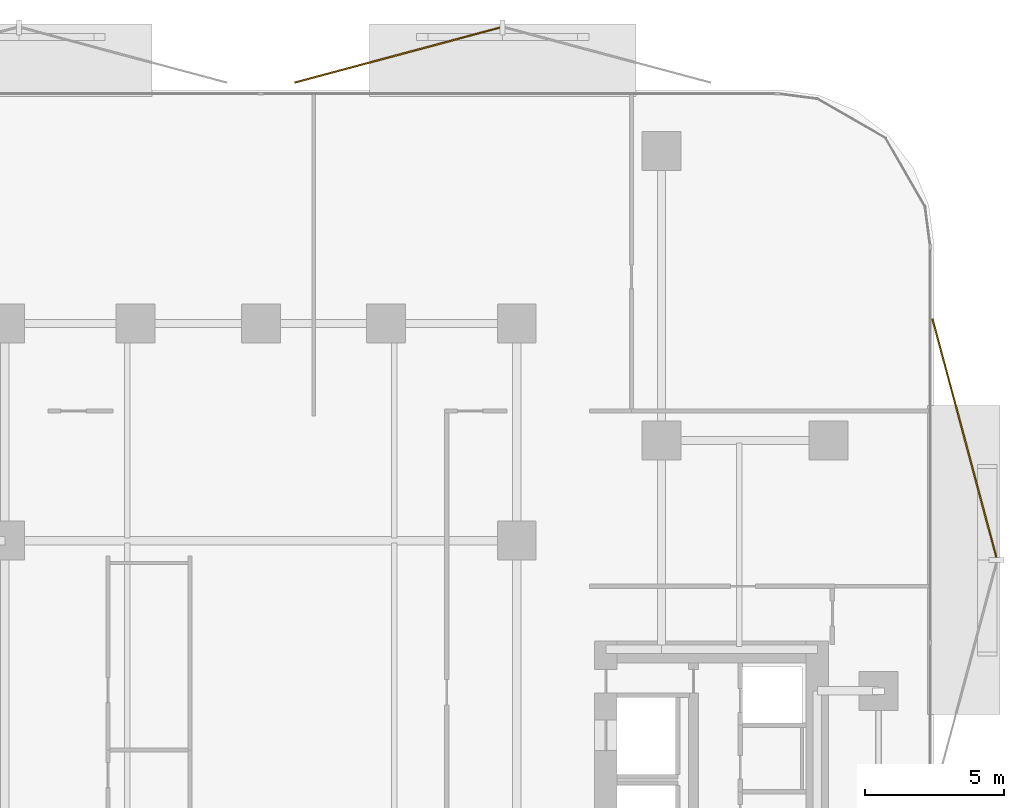
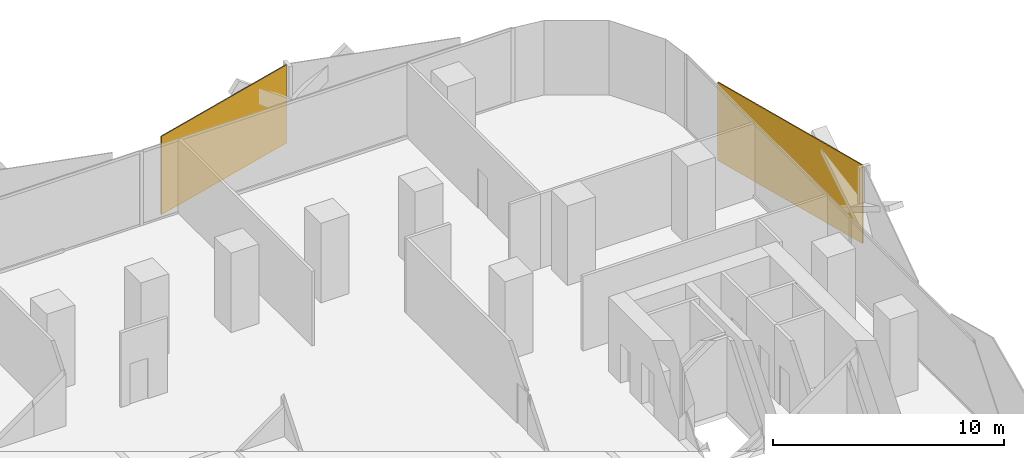
# One storey, part 16 of 16: 2 coverings.
"""IFC4 building model written with IfcOpenShell, lengths in metres."""

from ifc_helpers import new_model, si_unit, direction, frame, origin, origin_2d, place, context, subcontext, project, spatial, rectangle, extrude, material, layer, layer_set, type_object, element, save


model = new_model("IFC4")

# Units and contexts
model_context = context("Model", 3, precision=1e-05, world=origin(), true_north=direction((0.0, 1.0)))
body_context = subcontext(model_context, "Body", "Model", "MODEL_VIEW")
ifc_project = project(units=[si_unit("LENGTHUNIT", "METRE"), si_unit("AREAUNIT", "SQUARE_METRE"), si_unit("VOLUMEUNIT", "CUBIC_METRE"), si_unit("PLANEANGLEUNIT", "RADIAN"), si_unit("MASSUNIT", "GRAM", prefix="KILO")], contexts=[model_context])

# Site, building, storey
site_placement = place(None, origin())
site = spatial("IfcSite", under=ifc_project, at=site_placement, CompositionType="ELEMENT")
building_placement = place(site_placement, origin())
building = spatial("IfcBuilding", under=site, at=building_placement, Name="Khairoan Windgate Tower", CompositionType="ELEMENT")
storey_placement = place(building_placement, frame((0.0, 0.0, 55.39990234375)))
storey = spatial("IfcBuildingStorey", under=building, at=storey_placement, Name="L13", CompositionType="ELEMENT", Elevation=55.39990234375)

# Coverings
ifc_material = material(Name="Anodised Bronze Aluminium 6063-T6", Category="aluminium")
ifc_layer = layer(ifc_material, 0.054931640625, Name="Anodised Bronze Aluminium 6063-T6")
ifc_layer_set = layer_set([ifc_layer], Name="Anodised Bronze Aluminium 6063-T6")
covering_type = type_object("IfcCoveringType", Name="Perforated Bronze-Ceramic Folded Solar Screen Cladding BSC-1", PredefinedType="CLADDING", material=ifc_layer_set)
covering_1_placement = place(storey_placement, frame((4.909912109375, 28.249755859375, -0.099609375), z_axis=(0.0, 0.0, 1.0), x_axis=(0.965925826289, 0.258819045103, 0.0)))
element("IfcCovering", 1, at=covering_1_placement, inside=storey, type_object=covering_type, Name="L13 Folded Bronze Solar Screen Facet 62L", PredefinedType="CLADDING", context=body_context, shape_type="SweptSolid", body=[
    extrude(rectangle(XDim=7.652099609375, YDim=0.054931640625, at=origin_2d()), origin(), (0.0, 0.0, 1.0), 4.139892578125),
])
covering_2_placement = place(storey_placement, frame((25.290283203125, 14.47607421875, -0.099609375), z_axis=(0.0, 0.0, 1.0), x_axis=(0.258819045103, -0.965925826289, 0.0)))
element("IfcCovering", 2, at=covering_2_placement, inside=storey, type_object=covering_type, Name="L13 Folded Bronze Solar Screen Facet 63L", PredefinedType="CLADDING", context=body_context, shape_type="SweptSolid", body=[
    extrude(rectangle(XDim=8.884033203125, YDim=0.054931640625, at=origin_2d()), origin(), (0.0, 0.0, 1.0), 4.139892578125),
])

save(model, "model.ifc")
